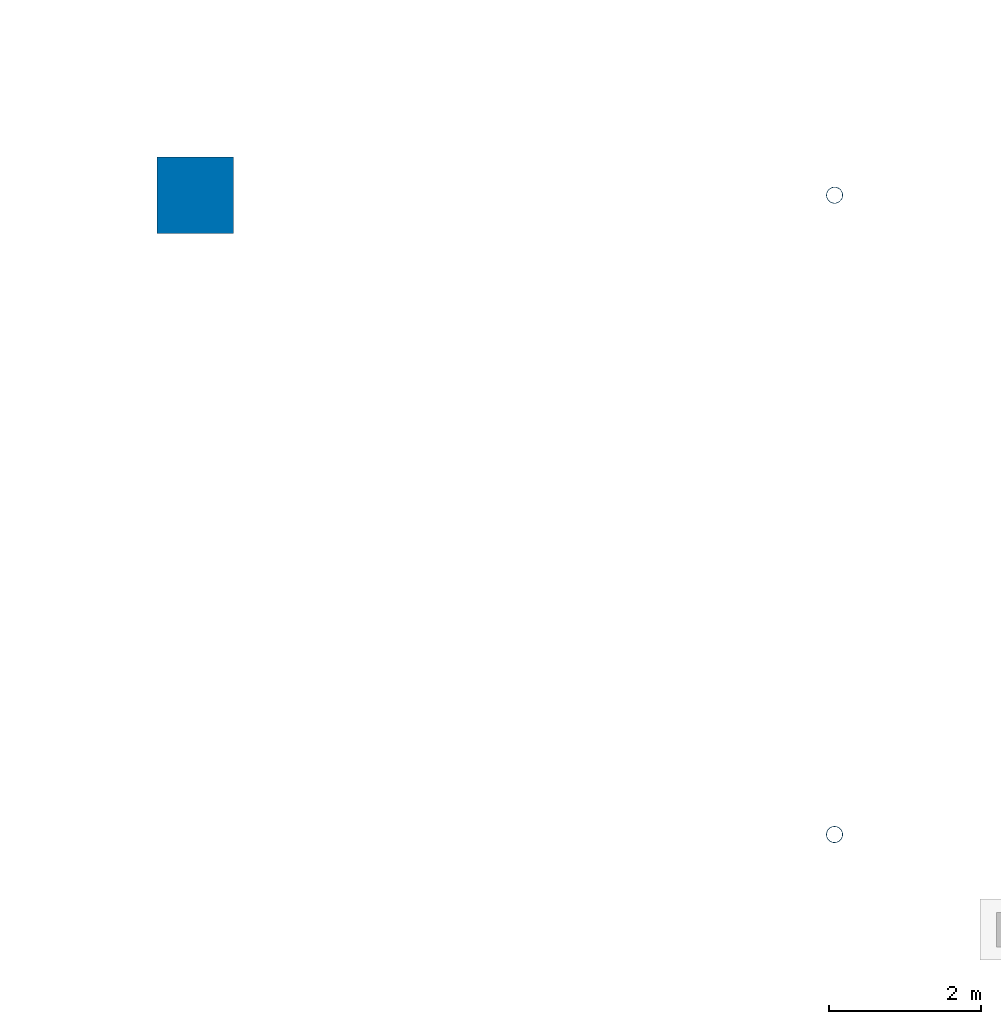
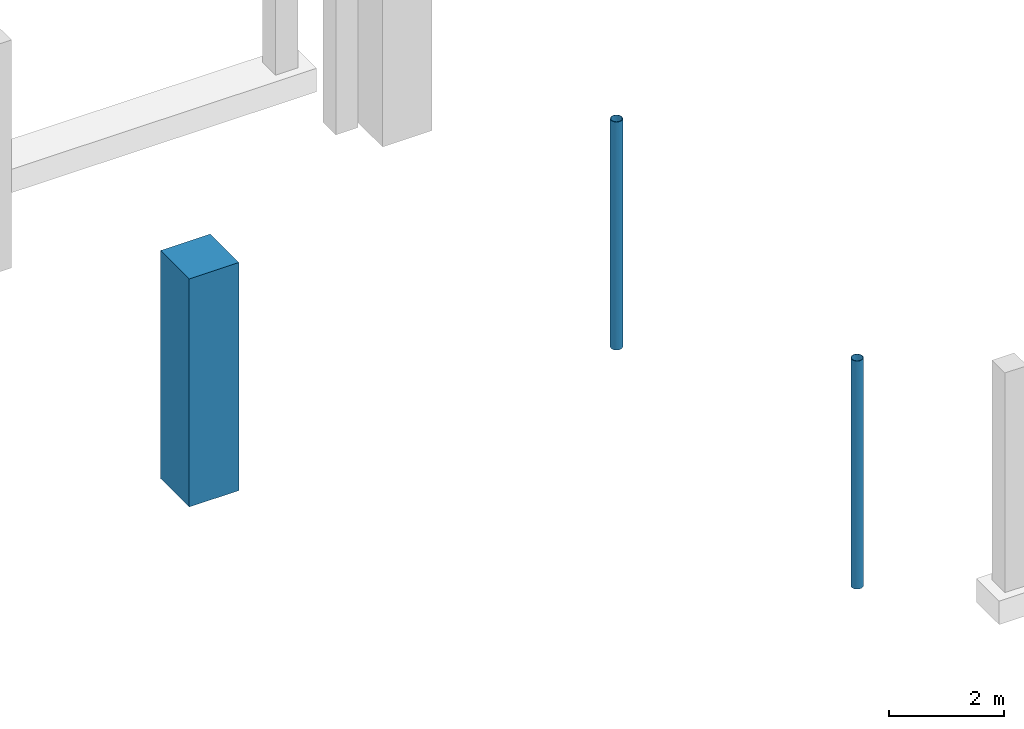
# One storey, part 19 of 39: 3 columns.
"""IFC4 building model written with IfcOpenShell, lengths in metres."""

from ifc_helpers import new_model, si_unit, derived_unit, direction, frame, origin, origin_2d, place, context, subcontext, project, spatial, rectangle, hollow_circle, extrude, material, material_profile, profile_set, type_object, element, save


model = new_model("IFC4")

# Units and contexts
model_context = context("Model", 3, precision=1e-05, world=origin(), true_north=direction((0.0, 1.0)))
body_context = subcontext(model_context, "Body", "Model", "MODEL_VIEW")
ifc_project = project(units=[si_unit("LENGTHUNIT", "METRE"), si_unit("AREAUNIT", "SQUARE_METRE"), si_unit("VOLUMEUNIT", "CUBIC_METRE"), si_unit("PLANEANGLEUNIT", "RADIAN"), si_unit("MASSUNIT", "GRAM", prefix="KILO"), derived_unit("THERMALTRANSMITTANCEUNIT", [(si_unit("POWERUNIT", "WATT"), 1), (si_unit("LENGTHUNIT", "METRE"), -2), (si_unit("THERMODYNAMICTEMPERATUREUNIT", "KELVIN"), -1)])], contexts=[model_context])

# Site, building, storey
site_placement = place(None, origin())
site = spatial("IfcSite", under=ifc_project, at=site_placement, CompositionType="ELEMENT")
building_placement = place(site_placement, origin())
building = spatial("IfcBuilding", under=site, at=building_placement, Name="Barrovel Congress Hotel", CompositionType="ELEMENT")
storey_placement = place(building_placement, frame((0.0, 0.0, -4.5)))
storey = spatial("IfcBuildingStorey", under=building, at=storey_placement, Name="B01", CompositionType="ELEMENT", Elevation=-4.5)

# Columns
ifc_material_1 = material(Name="Concrete C50", Category="concrete")
ifc_material_profile_1 = material_profile(ifc_material_1, rectangle(XDim=1.0, YDim=1.0, at=origin_2d()), Name="RC1000x1000")
ifc_profile_set_1 = profile_set([ifc_material_profile_1], Name="Concrete C50")
column_type_1 = type_object("IfcColumnType", Name="COL-RC1000x1000", PredefinedType="COLUMN", material=ifc_profile_set_1)
column_placement = place(storey_placement, frame((50.39990234375, 105.0, -0.360107421875), z_axis=(0.0, 0.0, 1.0), x_axis=(1.0, 0.0, 0.0)))
element("IfcColumn", 1, at=column_placement, inside=storey, type_object=column_type_1, Name="COL:B01:50.4:105.0", PredefinedType="COLUMN", context=body_context, shape_type="SweptSolid", body=[
    extrude(rectangle(XDim=1.0, YDim=1.0, at=origin_2d()), origin(), (0.0, 0.0, 1.0), 4.860107421875),
])
ifc_material_2 = material(Name="Steel ASTM A500 Grade C", Category="steel")
ifc_material_profile_2 = material_profile(ifc_material_2, hollow_circle(Radius=0.109619140625, WallThickness=0.0087890625, at=origin_2d()), Name="CHS219.1x9.5")
ifc_profile_set_2 = profile_set([ifc_material_profile_2], Name="Steel ASTM A500 Grade C")
column_type_2 = type_object("IfcColumnType", Name="SCOL-CHS219.1x9.5", PredefinedType="COLUMN", material=ifc_profile_set_2)
for number, where, z_axis, x_axis, name in (
    (2, (58.800048828125, 96.60009765625, -0.360107421875), (0.0, 0.0, 1.0), (1.0, 0.0, 0.0), "COL:B01:58.8:96.6"),
    (3, (58.800048828125, 105.0, -0.360107421875), (0.0, 0.0, 1.0), (1.0, 0.0, 0.0), "COL:B01:58.8:105.0"),
):
    element("IfcColumn", number, at=place(storey_placement, frame(where, z_axis=z_axis, x_axis=x_axis)), inside=storey, type_object=column_type_2, Name=name, PredefinedType="COLUMN", context=body_context, shape_type="SweptSolid", body=[
        extrude(hollow_circle(Radius=0.109619140625, WallThickness=0.0087890625, at=origin_2d()), origin(), (0.0, 0.0, 1.0), 4.860107421875),
    ])

save(model, "model.ifc")
